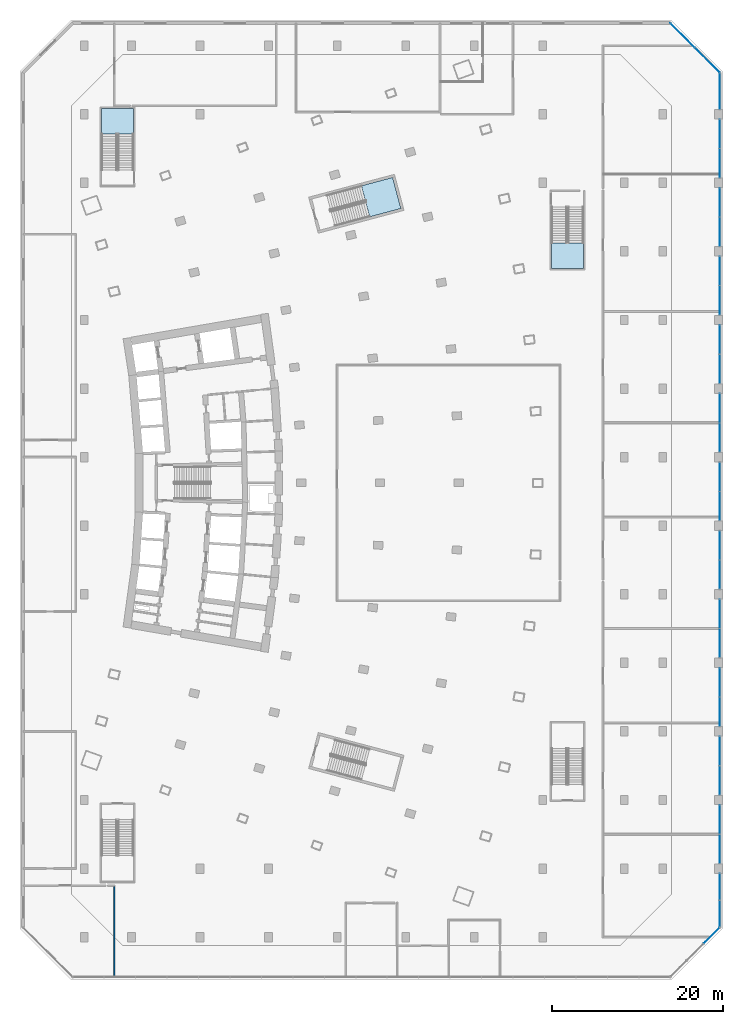
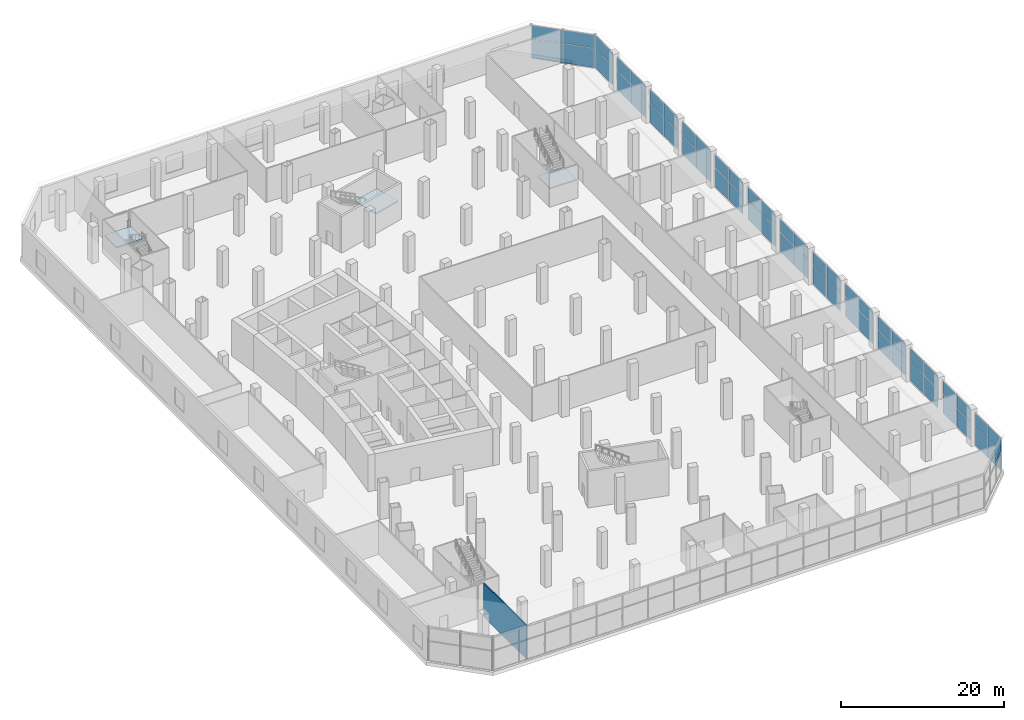
# One storey, part 8 of 26: 55 plates, 3 slabs, 1 wall, 18 elements without a shape of their own.
"""IFC4 building model written with IfcOpenShell, lengths in metres."""

from ifc_helpers import new_model, si_unit, direction, frame, frame_2d, origin, origin_2d, place, context, subcontext, project, spatial, polyline, rectangle, outline, extrude, material, layer, layer_set, type_object, element, aggregate, save


model = new_model("IFC4")

# Units and contexts
model_context = context("Model", 3, precision=1e-05, world=origin(), true_north=direction((0.0, 1.0)))
body_context = subcontext(model_context, "Body", "Model", "MODEL_VIEW")
ifc_project = project(units=[si_unit("LENGTHUNIT", "METRE"), si_unit("AREAUNIT", "SQUARE_METRE"), si_unit("VOLUMEUNIT", "CUBIC_METRE"), si_unit("PLANEANGLEUNIT", "RADIAN"), si_unit("MASSUNIT", "GRAM", prefix="KILO")], contexts=[model_context])

# Site, building, storey
site_placement = place(None, origin())
site = spatial("IfcSite", under=ifc_project, at=site_placement, CompositionType="ELEMENT")
building_placement = place(site_placement, origin())
building = spatial("IfcBuilding", under=site, at=building_placement, Name="Alderwake Tower", CompositionType="ELEMENT")
storey_placement = place(building_placement, frame((0.0, 0.0, 8.0)))
storey = spatial("IfcBuildingStorey", under=building, at=storey_placement, Name="L01", CompositionType="ELEMENT", Elevation=8.0)

# Stair, slab
ifc_material_1 = material(Name="Concrete C40/50", Category="concrete")
stair_type_1 = type_object("IfcStairType", Name="Core exit stair", PredefinedType="HALF_TURN_STAIR", material=ifc_material_1)
stair_1_placement = place(storey_placement, origin())
stair_1 = element("IfcStair", 1, at=stair_1_placement, inside=storey, type_object=stair_type_1, Name="L01 Exit Stair A", PredefinedType="HALF_TURN_STAIR")
ifc_material_2 = material(Name="Concrete C40/50", Category="concrete")
ifc_layer_1 = layer(ifc_material_2, 0.199951171875)
ifc_layer_set_1 = layer_set([ifc_layer_1], Name="Core stair landing 200")
slab_type = type_object("IfcSlabType", Name="Core stair landing 200", PredefinedType="LANDING", material=ifc_layer_set_1)
slab_1_placement = place(storey_placement, frame((0.0, 0.0, 2.550048828125)))
slab_1 = element("IfcSlab", 2, at=slab_1_placement, type_object=slab_type, Name="ST-A landing 1", PredefinedType="LANDING", context=body_context, shape_type="SweptSolid", body=[
    extrude(outline(polyline([(43.79345703125, 92.03271484375), (47.436279296875, 93.003173828125), (46.47119140625, 96.626708984375), (42.828125, 95.656494140625), (43.79345703125, 92.03271484375)])), origin(), (0.0, 0.0, 1.0), 0.199951171875),
])
aggregate(stair_1, [slab_1])

ifc_material_3 = material(Name="Concrete C40/50", Category="concrete")
stair_type_2 = type_object("IfcStairType", Name="Exit stair 1800 half-turn", PredefinedType="HALF_TURN_STAIR", material=ifc_material_3)
stair_2_placement = place(storey_placement, origin())
stair_2 = element("IfcStair", 3, at=stair_2_placement, inside=storey, type_object=stair_type_2, Name="L01 Podium stair P2", PredefinedType="HALF_TURN_STAIR")
slab_2_placement = place(storey_placement, frame((0.0, 0.0, 2.550048828125)))
slab_2 = element("IfcSlab", 4, at=slab_2_placement, type_object=slab_type, Name="ST-P2 landing 1", PredefinedType="LANDING", context=body_context, shape_type="SweptSolid", body=[
    extrude(outline(polyline([(16.25, 101.68994140625), (16.25, 104.699951171875), (12.5, 104.699951171875), (12.5, 101.68994140625), (16.25, 101.68994140625)])), origin(), (0.0, 0.0, 1.0), 0.199951171875),
])
aggregate(stair_2, [slab_2])

stair_3_placement = place(storey_placement, origin())
stair_3 = element("IfcStair", 5, at=stair_3_placement, inside=storey, type_object=stair_type_2, Name="L01 Podium stair P3", PredefinedType="HALF_TURN_STAIR")
slab_3_placement = place(storey_placement, frame((0.0, 0.0, 2.550048828125)))
slab_3 = element("IfcSlab", 6, at=slab_3_placement, type_object=slab_type, Name="ST-P3 landing 1", PredefinedType="LANDING", context=body_context, shape_type="SweptSolid", body=[
    extrude(outline(polyline([(65.0, 89.010009765625), (65.0, 86.0), (68.75, 86.0), (68.75, 89.010009765625), (65.0, 89.010009765625)])), origin(), (0.0, 0.0, 1.0), 0.199951171875),
])
aggregate(stair_3, [slab_3])

# Curtain wall, plates
ifc_material_4 = material(Name="Bronze tinted glass in aluminium frame", Category="aluminium")
ifc_layer_2 = layer(ifc_material_4, 0.25)
ifc_layer_set_2 = layer_set([ifc_layer_2], Name="Curtain wall CW1 podium shopfront")
curtain_wall_type_1 = type_object("IfcCurtainWallType", Name="Curtain wall CW1 podium shopfront", PredefinedType="NOTDEFINED", material=ifc_layer_set_2)
curtain_wall_1_placement = place(storey_placement, origin())
curtain_wall_1 = element("IfcCurtainWall", 7, at=curtain_wall_1_placement, inside=storey, type_object=curtain_wall_type_1, Name="Curtain wall 12", PredefinedType="NOTDEFINED")
ifc_material_5 = material(Name="Bronze tinted glass in aluminium frame", Category="aluminium")
ifc_layer_3 = layer(ifc_material_5, 0.028076171875)
ifc_layer_set_3 = layer_set([ifc_layer_3], Name="Glass panel GPA 28")
plate_type_1 = type_object("IfcPlateType", Name="Glass panel GPA 28", PredefinedType="CURTAIN_PANEL", material=ifc_layer_set_3)
plate_1_placement = place(storey_placement, frame((84.64990234375, 82.2900390625, 0.06005859375), z_axis=(0.0, 0.0, 1.0), x_axis=(0.0, 1.0, 0.0)))
plate_1 = element("IfcPlate", 8, at=plate_1_placement, type_object=plate_type_1, Name="CW.12 panel 1.1", PredefinedType="CURTAIN_PANEL", context=body_context, shape_type="SweptSolid", body=[
    extrude(rectangle(XDim=3.360107421875, YDim=0.028076171875, at=origin_2d()), origin(), (0.0, 0.0, 1.0), 2.909912109375),
])
plate_2_placement = place(storey_placement, frame((84.64990234375, 82.2900390625, 3.030029296875), z_axis=(0.0, 0.0, 1.0), x_axis=(0.0, 1.0, 0.0)))
plate_2 = element("IfcPlate", 9, at=plate_2_placement, type_object=plate_type_1, Name="CW.12 panel 1.2", PredefinedType="CURTAIN_PANEL", context=body_context, shape_type="SweptSolid", body=[
    extrude(rectangle(XDim=3.360107421875, YDim=0.028076171875, at=origin_2d()), origin(), (0.0, 0.0, 1.0), 1.9599609375),
])
plate_3_placement = place(storey_placement, frame((84.64990234375, 85.7099609375, 0.06005859375), z_axis=(0.0, 0.0, 1.0), x_axis=(0.0, 1.0, 0.0)))
plate_3 = element("IfcPlate", 10, at=plate_3_placement, type_object=plate_type_1, Name="CW.12 panel 2.1", PredefinedType="CURTAIN_PANEL", context=body_context, shape_type="SweptSolid", body=[
    extrude(rectangle(XDim=3.360107421875, YDim=0.028076171875, at=origin_2d()), origin(), (0.0, 0.0, 1.0), 2.909912109375),
])
plate_4_placement = place(storey_placement, frame((84.64990234375, 85.7099609375, 3.030029296875), z_axis=(0.0, 0.0, 1.0), x_axis=(0.0, 1.0, 0.0)))
plate_4 = element("IfcPlate", 11, at=plate_4_placement, type_object=plate_type_1, Name="CW.12 panel 2.2", PredefinedType="CURTAIN_PANEL", context=body_context, shape_type="SweptSolid", body=[
    extrude(rectangle(XDim=3.360107421875, YDim=0.028076171875, at=origin_2d()), origin(), (0.0, 0.0, 1.0), 1.9599609375),
])
aggregate(curtain_wall_1, [plate_1, plate_2, plate_3, plate_4])

curtain_wall_2_placement = place(storey_placement, origin())
curtain_wall_2 = element("IfcCurtainWall", 12, at=curtain_wall_2_placement, inside=storey, type_object=curtain_wall_type_1, Name="Curtain wall 13", PredefinedType="NOTDEFINED")
plate_5_placement = place(storey_placement, frame((84.64990234375, 90.2900390625, 0.06005859375), z_axis=(0.0, 0.0, 1.0), x_axis=(0.0, 1.0, 0.0)))
plate_5 = element("IfcPlate", 13, at=plate_5_placement, type_object=plate_type_1, Name="CW.13 panel 1.1", PredefinedType="CURTAIN_PANEL", context=body_context, shape_type="SweptSolid", body=[
    extrude(rectangle(XDim=3.360107421875, YDim=0.028076171875, at=origin_2d()), origin(), (0.0, 0.0, 1.0), 2.909912109375),
])
plate_6_placement = place(storey_placement, frame((84.64990234375, 90.2900390625, 3.030029296875), z_axis=(0.0, 0.0, 1.0), x_axis=(0.0, 1.0, 0.0)))
plate_6 = element("IfcPlate", 14, at=plate_6_placement, type_object=plate_type_1, Name="CW.13 panel 1.2", PredefinedType="CURTAIN_PANEL", context=body_context, shape_type="SweptSolid", body=[
    extrude(rectangle(XDim=3.360107421875, YDim=0.028076171875, at=origin_2d()), origin(), (0.0, 0.0, 1.0), 1.9599609375),
])
plate_7_placement = place(storey_placement, frame((84.64990234375, 93.7099609375, 0.06005859375), z_axis=(0.0, 0.0, 1.0), x_axis=(0.0, 1.0, 0.0)))
plate_7 = element("IfcPlate", 15, at=plate_7_placement, type_object=plate_type_1, Name="CW.13 panel 2.1", PredefinedType="CURTAIN_PANEL", context=body_context, shape_type="SweptSolid", body=[
    extrude(rectangle(XDim=3.360107421875, YDim=0.028076171875, at=origin_2d()), origin(), (0.0, 0.0, 1.0), 2.909912109375),
])
plate_8_placement = place(storey_placement, frame((84.64990234375, 93.7099609375, 3.030029296875), z_axis=(0.0, 0.0, 1.0), x_axis=(0.0, 1.0, 0.0)))
plate_8 = element("IfcPlate", 16, at=plate_8_placement, type_object=plate_type_1, Name="CW.13 panel 2.2", PredefinedType="CURTAIN_PANEL", context=body_context, shape_type="SweptSolid", body=[
    extrude(rectangle(XDim=3.360107421875, YDim=0.028076171875, at=origin_2d()), origin(), (0.0, 0.0, 1.0), 1.9599609375),
])
aggregate(curtain_wall_2, [plate_5, plate_6, plate_7, plate_8])

curtain_wall_3_placement = place(storey_placement, origin())
curtain_wall_3 = element("IfcCurtainWall", 17, at=curtain_wall_3_placement, inside=storey, type_object=curtain_wall_type_1, Name="Curtain wall 14", PredefinedType="NOTDEFINED")
plate_9_placement = place(storey_placement, frame((84.64990234375, 98.2900390625, 0.06005859375), z_axis=(0.0, 0.0, 1.0), x_axis=(0.0, 1.0, 0.0)))
plate_9 = element("IfcPlate", 18, at=plate_9_placement, type_object=plate_type_1, Name="CW.14 panel 1.1", PredefinedType="CURTAIN_PANEL", context=body_context, shape_type="SweptSolid", body=[
    extrude(rectangle(XDim=3.360107421875, YDim=0.028076171875, at=origin_2d()), origin(), (0.0, 0.0, 1.0), 2.909912109375),
])
plate_10_placement = place(storey_placement, frame((84.64990234375, 98.2900390625, 3.030029296875), z_axis=(0.0, 0.0, 1.0), x_axis=(0.0, 1.0, 0.0)))
plate_10 = element("IfcPlate", 19, at=plate_10_placement, type_object=plate_type_1, Name="CW.14 panel 1.2", PredefinedType="CURTAIN_PANEL", context=body_context, shape_type="SweptSolid", body=[
    extrude(rectangle(XDim=3.360107421875, YDim=0.028076171875, at=origin_2d()), origin(), (0.0, 0.0, 1.0), 1.9599609375),
])
plate_11_placement = place(storey_placement, frame((84.64990234375, 101.7099609375, 0.06005859375), z_axis=(0.0, 0.0, 1.0), x_axis=(0.0, 1.0, 0.0)))
plate_11 = element("IfcPlate", 20, at=plate_11_placement, type_object=plate_type_1, Name="CW.14 panel 2.1", PredefinedType="CURTAIN_PANEL", context=body_context, shape_type="SweptSolid", body=[
    extrude(rectangle(XDim=3.360107421875, YDim=0.028076171875, at=origin_2d()), origin(), (0.0, 0.0, 1.0), 2.909912109375),
])
plate_12_placement = place(storey_placement, frame((84.64990234375, 101.7099609375, 3.030029296875), z_axis=(0.0, 0.0, 1.0), x_axis=(0.0, 1.0, 0.0)))
plate_12 = element("IfcPlate", 21, at=plate_12_placement, type_object=plate_type_1, Name="CW.14 panel 2.2", PredefinedType="CURTAIN_PANEL", context=body_context, shape_type="SweptSolid", body=[
    extrude(rectangle(XDim=3.360107421875, YDim=0.028076171875, at=origin_2d()), origin(), (0.0, 0.0, 1.0), 1.9599609375),
])
aggregate(curtain_wall_3, [plate_9, plate_10, plate_11, plate_12])

curtain_wall_4_placement = place(storey_placement, origin())
curtain_wall_4 = element("IfcCurtainWall", 22, at=curtain_wall_4_placement, inside=storey, type_object=curtain_wall_type_1, Name="Curtain wall 15", PredefinedType="NOTDEFINED")
plate_13_placement = place(storey_placement, frame((84.64990234375, 106.7099609375, 0.06005859375), z_axis=(0.0, 0.0, 1.0), x_axis=(0.0, 1.0, 0.0)))
plate_13 = element("IfcPlate", 23, at=plate_13_placement, type_object=plate_type_1, Name="CW.15 panel 1.1", PredefinedType="CURTAIN_PANEL", context=body_context, shape_type="SweptSolid", body=[
    extrude(rectangle(XDim=4.199951171875, YDim=0.028076171875, at=origin_2d()), origin(), (0.0, 0.0, 1.0), 2.909912109375),
])
plate_14_placement = place(storey_placement, frame((84.64990234375, 106.7099609375, 3.030029296875), z_axis=(0.0, 0.0, 1.0), x_axis=(0.0, 1.0, 0.0)))
plate_14 = element("IfcPlate", 24, at=plate_14_placement, type_object=plate_type_1, Name="CW.15 panel 1.2", PredefinedType="CURTAIN_PANEL", context=body_context, shape_type="SweptSolid", body=[
    extrude(rectangle(XDim=4.199951171875, YDim=0.028076171875, at=origin_2d()), origin(), (0.0, 0.0, 1.0), 1.9599609375),
])
aggregate(curtain_wall_4, [plate_13, plate_14])

curtain_wall_5_placement = place(storey_placement, origin())
curtain_wall_5 = element("IfcCurtainWall", 25, at=curtain_wall_5_placement, inside=storey, type_object=curtain_wall_type_1, Name="Curtain wall 16", PredefinedType="NOTDEFINED")
plate_15_placement = place(storey_placement, frame((83.18798828125, 110.31689453125, 0.06005859375), z_axis=(0.0, 0.0, 1.0), x_axis=(-0.707106781187, 0.707106781187, 0.0)))
plate_15 = element("IfcPlate", 26, at=plate_15_placement, type_object=plate_type_1, Name="CW.16 panel 1.1", PredefinedType="CURTAIN_PANEL", context=body_context, shape_type="SweptSolid", body=[
    extrude(rectangle(XDim=4.01513671875, YDim=0.028076171875, at=origin_2d()), origin(), (0.0, 0.0, 1.0), 2.909912109375),
])
plate_16_placement = place(storey_placement, frame((83.18798828125, 110.31689453125, 3.030029296875), z_axis=(0.0, 0.0, 1.0), x_axis=(-0.707106781187, 0.707106781187, 0.0)))
plate_16 = element("IfcPlate", 27, at=plate_16_placement, type_object=plate_type_1, Name="CW.16 panel 1.2", PredefinedType="CURTAIN_PANEL", context=body_context, shape_type="SweptSolid", body=[
    extrude(rectangle(XDim=4.01513671875, YDim=0.028076171875, at=origin_2d()), origin(), (0.0, 0.0, 1.0), 1.9599609375),
])
plate_17_placement = place(storey_placement, frame((80.306396484375, 113.198486328125, 0.06005859375), z_axis=(0.0, 0.0, 1.0), x_axis=(-0.707106781187, 0.707106781187, 0.0)))
plate_17 = element("IfcPlate", 28, at=plate_17_placement, type_object=plate_type_1, Name="CW.16 panel 2.1", PredefinedType="CURTAIN_PANEL", context=body_context, shape_type="SweptSolid", body=[
    extrude(rectangle(XDim=4.01513671875, YDim=0.028076171875, at=origin_2d()), origin(), (0.0, 0.0, 1.0), 2.909912109375),
])
plate_18_placement = place(storey_placement, frame((80.306396484375, 113.198486328125, 3.030029296875), z_axis=(0.0, 0.0, 1.0), x_axis=(-0.707106781187, 0.707106781187, 0.0)))
plate_18 = element("IfcPlate", 29, at=plate_18_placement, type_object=plate_type_1, Name="CW.16 panel 2.2", PredefinedType="CURTAIN_PANEL", context=body_context, shape_type="SweptSolid", body=[
    extrude(rectangle(XDim=4.01513671875, YDim=0.028076171875, at=origin_2d()), origin(), (0.0, 0.0, 1.0), 1.9599609375),
])
aggregate(curtain_wall_5, [plate_15, plate_16, plate_17, plate_18])

# Curtain wall, plate
ifc_material_6 = material(Name="Bronze tinted glass in aluminium frame", Category="aluminium")
ifc_layer_4 = layer(ifc_material_6, 0.300048828125)
ifc_layer_set_4 = layer_set([ifc_layer_4], Name="Curtain wall CW2 station concourse wall")
curtain_wall_type_2 = type_object("IfcCurtainWallType", Name="Curtain wall CW2 station concourse wall", PredefinedType="NOTDEFINED", material=ifc_layer_set_4)
curtain_wall_6_placement = place(storey_placement, origin())
curtain_wall_6 = element("IfcCurtainWall", 30, at=curtain_wall_6_placement, inside=storey, type_object=curtain_wall_type_2, Name="Curtain wall 2", PredefinedType="NOTDEFINED")
ifc_material_7 = material(Name="Bronze tinted glass in aluminium frame", Category="aluminium")
ifc_layer_5 = layer(ifc_material_7, 0.031982421875)
ifc_layer_set_5 = layer_set([ifc_layer_5], Name="Glass panel GPB 32")
plate_type_2 = type_object("IfcPlateType", Name="Glass panel GPB 32", PredefinedType="CURTAIN_PANEL", material=ifc_layer_set_5)
plate_19_placement = place(storey_placement, frame((83.678955078125, 8.173828125, 3.0400390625), z_axis=(0.0, 0.0, 1.0), x_axis=(0.707106781187, 0.707106781187, 0.0)))
plate_19 = element("IfcPlate", 31, at=plate_19_placement, type_object=plate_type_2, Name="CW.02 panel 3.2", PredefinedType="CURTAIN_PANEL", context=body_context, shape_type="SweptSolid", body=[
    extrude(rectangle(XDim=2.61669921875, YDim=0.031982421875, at=origin_2d()), origin(), (0.0, 0.0, 1.0), 1.929931640625),
])
aggregate(curtain_wall_6, [plate_19])

# Curtain wall, plates
curtain_wall_7_placement = place(storey_placement, origin())
curtain_wall_7 = element("IfcCurtainWall", 32, at=curtain_wall_7_placement, inside=storey, type_object=curtain_wall_type_2, Name="Curtain wall 3", PredefinedType="NOTDEFINED")
plate_20_placement = place(storey_placement, frame((84.64990234375, 10.7412109375, 0.080078125), z_axis=(0.0, 0.0, 1.0), x_axis=(0.0, 1.0, 0.0)))
plate_20 = element("IfcPlate", 33, at=plate_20_placement, type_object=plate_type_2, Name="CW.03 panel 1.1", PredefinedType="CURTAIN_PANEL", context=body_context, shape_type="SweptSolid", body=[
    extrude(rectangle(XDim=3.032470703125, YDim=0.031982421875, at=origin_2d()), origin(), (0.0, 0.0, 1.0), 2.8798828125),
])
plate_21_placement = place(storey_placement, frame((84.64990234375, 10.7412109375, 3.0400390625), z_axis=(0.0, 0.0, 1.0), x_axis=(0.0, 1.0, 0.0)))
plate_21 = element("IfcPlate", 34, at=plate_21_placement, type_object=plate_type_2, Name="CW.03 panel 1.2", PredefinedType="CURTAIN_PANEL", context=body_context, shape_type="SweptSolid", body=[
    extrude(rectangle(XDim=3.032470703125, YDim=0.031982421875, at=origin_2d()), origin(), (0.0, 0.0, 1.0), 1.929931640625),
])
plate_22_placement = place(storey_placement, frame((84.64990234375, 13.853759765625, 0.080078125), z_axis=(0.0, 0.0, 1.0), x_axis=(0.0, 1.0, 0.0)))
plate_22 = element("IfcPlate", 35, at=plate_22_placement, type_object=plate_type_2, Name="CW.03 panel 2.1", PredefinedType="CURTAIN_PANEL", context=body_context, shape_type="SweptSolid", body=[
    extrude(rectangle(XDim=3.032470703125, YDim=0.031982421875, at=origin_2d()), origin(), (0.0, 0.0, 1.0), 2.8798828125),
])
plate_23_placement = place(storey_placement, frame((84.64990234375, 13.853759765625, 3.0400390625), z_axis=(0.0, 0.0, 1.0), x_axis=(0.0, 1.0, 0.0)))
plate_23 = element("IfcPlate", 36, at=plate_23_placement, type_object=plate_type_2, Name="CW.03 panel 2.2", PredefinedType="CURTAIN_PANEL", context=body_context, shape_type="SweptSolid", body=[
    extrude(rectangle(XDim=3.032470703125, YDim=0.031982421875, at=origin_2d()), origin(), (0.0, 0.0, 1.0), 1.929931640625),
])
aggregate(curtain_wall_7, [plate_20, plate_21, plate_22, plate_23])

curtain_wall_8_placement = place(storey_placement, origin())
curtain_wall_8 = element("IfcCurtainWall", 37, at=curtain_wall_8_placement, inside=storey, type_object=curtain_wall_type_2, Name="Curtain wall 4", PredefinedType="NOTDEFINED")
plate_24_placement = place(storey_placement, frame((84.64990234375, 18.294921875, 0.080078125), z_axis=(0.0, 0.0, 1.0), x_axis=(0.0, 1.0, 0.0)))
plate_24 = element("IfcPlate", 38, at=plate_24_placement, type_object=plate_type_2, Name="CW.04 panel 1.1", PredefinedType="CURTAIN_PANEL", context=body_context, shape_type="SweptSolid", body=[
    extrude(rectangle(XDim=3.330078125, YDim=0.031982421875, at=origin_2d()), origin(), (0.0, 0.0, 1.0), 2.8798828125),
])
plate_25_placement = place(storey_placement, frame((84.64990234375, 18.294921875, 3.0400390625), z_axis=(0.0, 0.0, 1.0), x_axis=(0.0, 1.0, 0.0)))
plate_25 = element("IfcPlate", 39, at=plate_25_placement, type_object=plate_type_2, Name="CW.04 panel 1.2", PredefinedType="CURTAIN_PANEL", context=body_context, shape_type="SweptSolid", body=[
    extrude(rectangle(XDim=3.330078125, YDim=0.031982421875, at=origin_2d()), origin(), (0.0, 0.0, 1.0), 1.929931640625),
])
plate_26_placement = place(storey_placement, frame((84.64990234375, 21.705078125, 0.080078125), z_axis=(0.0, 0.0, 1.0), x_axis=(0.0, 1.0, 0.0)))
plate_26 = element("IfcPlate", 40, at=plate_26_placement, type_object=plate_type_2, Name="CW.04 panel 2.1", PredefinedType="CURTAIN_PANEL", context=body_context, shape_type="SweptSolid", body=[
    extrude(rectangle(XDim=3.330078125, YDim=0.031982421875, at=origin_2d()), origin(), (0.0, 0.0, 1.0), 2.8798828125),
])
plate_27_placement = place(storey_placement, frame((84.64990234375, 21.705078125, 3.0400390625), z_axis=(0.0, 0.0, 1.0), x_axis=(0.0, 1.0, 0.0)))
plate_27 = element("IfcPlate", 41, at=plate_27_placement, type_object=plate_type_2, Name="CW.04 panel 2.2", PredefinedType="CURTAIN_PANEL", context=body_context, shape_type="SweptSolid", body=[
    extrude(rectangle(XDim=3.330078125, YDim=0.031982421875, at=origin_2d()), origin(), (0.0, 0.0, 1.0), 1.929931640625),
])
aggregate(curtain_wall_8, [plate_24, plate_25, plate_26, plate_27])

curtain_wall_9_placement = place(storey_placement, origin())
curtain_wall_9 = element("IfcCurtainWall", 42, at=curtain_wall_9_placement, inside=storey, type_object=curtain_wall_type_2, Name="Curtain wall 5", PredefinedType="NOTDEFINED")
plate_28_placement = place(storey_placement, frame((84.64990234375, 26.294921875, 0.080078125), z_axis=(0.0, 0.0, 1.0), x_axis=(0.0, 1.0, 0.0)))
plate_28 = element("IfcPlate", 43, at=plate_28_placement, type_object=plate_type_2, Name="CW.05 panel 1.1", PredefinedType="CURTAIN_PANEL", context=body_context, shape_type="SweptSolid", body=[
    extrude(rectangle(XDim=3.330078125, YDim=0.031982421875, at=origin_2d()), origin(), (0.0, 0.0, 1.0), 2.8798828125),
])
plate_29_placement = place(storey_placement, frame((84.64990234375, 26.294921875, 3.0400390625), z_axis=(0.0, 0.0, 1.0), x_axis=(0.0, 1.0, 0.0)))
plate_29 = element("IfcPlate", 44, at=plate_29_placement, type_object=plate_type_2, Name="CW.05 panel 1.2", PredefinedType="CURTAIN_PANEL", context=body_context, shape_type="SweptSolid", body=[
    extrude(rectangle(XDim=3.330078125, YDim=0.031982421875, at=origin_2d()), origin(), (0.0, 0.0, 1.0), 1.929931640625),
])
plate_30_placement = place(storey_placement, frame((84.64990234375, 29.705078125, 0.080078125), z_axis=(0.0, 0.0, 1.0), x_axis=(0.0, 1.0, 0.0)))
plate_30 = element("IfcPlate", 45, at=plate_30_placement, type_object=plate_type_2, Name="CW.05 panel 2.1", PredefinedType="CURTAIN_PANEL", context=body_context, shape_type="SweptSolid", body=[
    extrude(rectangle(XDim=3.330078125, YDim=0.031982421875, at=origin_2d()), origin(), (0.0, 0.0, 1.0), 2.8798828125),
])
plate_31_placement = place(storey_placement, frame((84.64990234375, 29.705078125, 3.0400390625), z_axis=(0.0, 0.0, 1.0), x_axis=(0.0, 1.0, 0.0)))
plate_31 = element("IfcPlate", 46, at=plate_31_placement, type_object=plate_type_2, Name="CW.05 panel 2.2", PredefinedType="CURTAIN_PANEL", context=body_context, shape_type="SweptSolid", body=[
    extrude(rectangle(XDim=3.330078125, YDim=0.031982421875, at=origin_2d()), origin(), (0.0, 0.0, 1.0), 1.929931640625),
])
aggregate(curtain_wall_9, [plate_28, plate_29, plate_30, plate_31])

curtain_wall_10_placement = place(storey_placement, origin())
curtain_wall_10 = element("IfcCurtainWall", 47, at=curtain_wall_10_placement, inside=storey, type_object=curtain_wall_type_2, Name="Curtain wall 6", PredefinedType="NOTDEFINED")
plate_32_placement = place(storey_placement, frame((84.64990234375, 34.294921875, 0.080078125), z_axis=(0.0, 0.0, 1.0), x_axis=(0.0, 1.0, 0.0)))
plate_32 = element("IfcPlate", 48, at=plate_32_placement, type_object=plate_type_2, Name="CW.06 panel 1.1", PredefinedType="CURTAIN_PANEL", context=body_context, shape_type="SweptSolid", body=[
    extrude(rectangle(XDim=3.330078125, YDim=0.031982421875, at=origin_2d()), origin(), (0.0, 0.0, 1.0), 2.8798828125),
])
plate_33_placement = place(storey_placement, frame((84.64990234375, 34.294921875, 3.0400390625), z_axis=(0.0, 0.0, 1.0), x_axis=(0.0, 1.0, 0.0)))
plate_33 = element("IfcPlate", 49, at=plate_33_placement, type_object=plate_type_2, Name="CW.06 panel 1.2", PredefinedType="CURTAIN_PANEL", context=body_context, shape_type="SweptSolid", body=[
    extrude(rectangle(XDim=3.330078125, YDim=0.031982421875, at=origin_2d()), origin(), (0.0, 0.0, 1.0), 1.929931640625),
])
plate_34_placement = place(storey_placement, frame((84.64990234375, 37.705078125, 0.080078125), z_axis=(0.0, 0.0, 1.0), x_axis=(0.0, 1.0, 0.0)))
plate_34 = element("IfcPlate", 50, at=plate_34_placement, type_object=plate_type_2, Name="CW.06 panel 2.1", PredefinedType="CURTAIN_PANEL", context=body_context, shape_type="SweptSolid", body=[
    extrude(rectangle(XDim=3.330078125, YDim=0.031982421875, at=origin_2d()), origin(), (0.0, 0.0, 1.0), 2.8798828125),
])
plate_35_placement = place(storey_placement, frame((84.64990234375, 37.705078125, 3.0400390625), z_axis=(0.0, 0.0, 1.0), x_axis=(0.0, 1.0, 0.0)))
plate_35 = element("IfcPlate", 51, at=plate_35_placement, type_object=plate_type_2, Name="CW.06 panel 2.2", PredefinedType="CURTAIN_PANEL", context=body_context, shape_type="SweptSolid", body=[
    extrude(rectangle(XDim=3.330078125, YDim=0.031982421875, at=origin_2d()), origin(), (0.0, 0.0, 1.0), 1.929931640625),
])
aggregate(curtain_wall_10, [plate_32, plate_33, plate_34, plate_35])

curtain_wall_11_placement = place(storey_placement, origin())
curtain_wall_11 = element("IfcCurtainWall", 52, at=curtain_wall_11_placement, inside=storey, type_object=curtain_wall_type_2, Name="Curtain wall 7", PredefinedType="NOTDEFINED")
plate_36_placement = place(storey_placement, frame((84.64990234375, 42.294921875, 0.080078125), z_axis=(0.0, 0.0, 1.0), x_axis=(0.0, 1.0, 0.0)))
plate_36 = element("IfcPlate", 53, at=plate_36_placement, type_object=plate_type_2, Name="CW.07 panel 1.1", PredefinedType="CURTAIN_PANEL", context=body_context, shape_type="SweptSolid", body=[
    extrude(rectangle(XDim=3.330078125, YDim=0.031982421875, at=origin_2d()), origin(), (0.0, 0.0, 1.0), 2.8798828125),
])
plate_37_placement = place(storey_placement, frame((84.64990234375, 42.294921875, 3.0400390625), z_axis=(0.0, 0.0, 1.0), x_axis=(0.0, 1.0, 0.0)))
plate_37 = element("IfcPlate", 54, at=plate_37_placement, type_object=plate_type_2, Name="CW.07 panel 1.2", PredefinedType="CURTAIN_PANEL", context=body_context, shape_type="SweptSolid", body=[
    extrude(rectangle(XDim=3.330078125, YDim=0.031982421875, at=origin_2d()), origin(), (0.0, 0.0, 1.0), 1.929931640625),
])
plate_38_placement = place(storey_placement, frame((84.64990234375, 45.705078125, 0.080078125), z_axis=(0.0, 0.0, 1.0), x_axis=(0.0, 1.0, 0.0)))
plate_38 = element("IfcPlate", 55, at=plate_38_placement, type_object=plate_type_2, Name="CW.07 panel 2.1", PredefinedType="CURTAIN_PANEL", context=body_context, shape_type="SweptSolid", body=[
    extrude(rectangle(XDim=3.330078125, YDim=0.031982421875, at=origin_2d()), origin(), (0.0, 0.0, 1.0), 2.8798828125),
])
plate_39_placement = place(storey_placement, frame((84.64990234375, 45.705078125, 3.0400390625), z_axis=(0.0, 0.0, 1.0), x_axis=(0.0, 1.0, 0.0)))
plate_39 = element("IfcPlate", 56, at=plate_39_placement, type_object=plate_type_2, Name="CW.07 panel 2.2", PredefinedType="CURTAIN_PANEL", context=body_context, shape_type="SweptSolid", body=[
    extrude(rectangle(XDim=3.330078125, YDim=0.031982421875, at=origin_2d()), origin(), (0.0, 0.0, 1.0), 1.929931640625),
])
aggregate(curtain_wall_11, [plate_36, plate_37, plate_38, plate_39])

curtain_wall_12_placement = place(storey_placement, origin())
curtain_wall_12 = element("IfcCurtainWall", 57, at=curtain_wall_12_placement, inside=storey, type_object=curtain_wall_type_2, Name="Curtain wall 8", PredefinedType="NOTDEFINED")
plate_40_placement = place(storey_placement, frame((84.64990234375, 50.294921875, 0.080078125), z_axis=(0.0, 0.0, 1.0), x_axis=(0.0, 1.0, 0.0)))
plate_40 = element("IfcPlate", 58, at=plate_40_placement, type_object=plate_type_2, Name="CW.08 panel 1.1", PredefinedType="CURTAIN_PANEL", context=body_context, shape_type="SweptSolid", body=[
    extrude(rectangle(XDim=3.330078125, YDim=0.031982421875, at=origin_2d()), origin(), (0.0, 0.0, 1.0), 2.8798828125),
])
plate_41_placement = place(storey_placement, frame((84.64990234375, 50.294921875, 3.0400390625), z_axis=(0.0, 0.0, 1.0), x_axis=(0.0, 1.0, 0.0)))
plate_41 = element("IfcPlate", 59, at=plate_41_placement, type_object=plate_type_2, Name="CW.08 panel 1.2", PredefinedType="CURTAIN_PANEL", context=body_context, shape_type="SweptSolid", body=[
    extrude(rectangle(XDim=3.330078125, YDim=0.031982421875, at=origin_2d()), origin(), (0.0, 0.0, 1.0), 1.929931640625),
])
plate_42_placement = place(storey_placement, frame((84.64990234375, 53.705078125, 0.080078125), z_axis=(0.0, 0.0, 1.0), x_axis=(0.0, 1.0, 0.0)))
plate_42 = element("IfcPlate", 60, at=plate_42_placement, type_object=plate_type_2, Name="CW.08 panel 2.1", PredefinedType="CURTAIN_PANEL", context=body_context, shape_type="SweptSolid", body=[
    extrude(rectangle(XDim=3.330078125, YDim=0.031982421875, at=origin_2d()), origin(), (0.0, 0.0, 1.0), 2.8798828125),
])
plate_43_placement = place(storey_placement, frame((84.64990234375, 53.705078125, 3.0400390625), z_axis=(0.0, 0.0, 1.0), x_axis=(0.0, 1.0, 0.0)))
plate_43 = element("IfcPlate", 61, at=plate_43_placement, type_object=plate_type_2, Name="CW.08 panel 2.2", PredefinedType="CURTAIN_PANEL", context=body_context, shape_type="SweptSolid", body=[
    extrude(rectangle(XDim=3.330078125, YDim=0.031982421875, at=origin_2d()), origin(), (0.0, 0.0, 1.0), 1.929931640625),
])
aggregate(curtain_wall_12, [plate_40, plate_41, plate_42, plate_43])

curtain_wall_13_placement = place(storey_placement, origin())
curtain_wall_13 = element("IfcCurtainWall", 62, at=curtain_wall_13_placement, inside=storey, type_object=curtain_wall_type_2, Name="Curtain wall 9", PredefinedType="NOTDEFINED")
plate_44_placement = place(storey_placement, frame((84.64990234375, 58.294921875, 0.080078125), z_axis=(0.0, 0.0, 1.0), x_axis=(0.0, 1.0, 0.0)))
plate_44 = element("IfcPlate", 63, at=plate_44_placement, type_object=plate_type_2, Name="CW.09 panel 1.1", PredefinedType="CURTAIN_PANEL", context=body_context, shape_type="SweptSolid", body=[
    extrude(rectangle(XDim=3.330078125, YDim=0.031982421875, at=origin_2d()), origin(), (0.0, 0.0, 1.0), 2.8798828125),
])
plate_45_placement = place(storey_placement, frame((84.64990234375, 58.294921875, 3.0400390625), z_axis=(0.0, 0.0, 1.0), x_axis=(0.0, 1.0, 0.0)))
plate_45 = element("IfcPlate", 64, at=plate_45_placement, type_object=plate_type_2, Name="CW.09 panel 1.2", PredefinedType="CURTAIN_PANEL", context=body_context, shape_type="SweptSolid", body=[
    extrude(rectangle(XDim=3.330078125, YDim=0.031982421875, at=origin_2d()), origin(), (0.0, 0.0, 1.0), 1.929931640625),
])
plate_46_placement = place(storey_placement, frame((84.64990234375, 61.705078125, 0.080078125), z_axis=(0.0, 0.0, 1.0), x_axis=(0.0, 1.0, 0.0)))
plate_46 = element("IfcPlate", 65, at=plate_46_placement, type_object=plate_type_2, Name="CW.09 panel 2.1", PredefinedType="CURTAIN_PANEL", context=body_context, shape_type="SweptSolid", body=[
    extrude(rectangle(XDim=3.330078125, YDim=0.031982421875, at=origin_2d()), origin(), (0.0, 0.0, 1.0), 2.8798828125),
])
plate_47_placement = place(storey_placement, frame((84.64990234375, 61.705078125, 3.0400390625), z_axis=(0.0, 0.0, 1.0), x_axis=(0.0, 1.0, 0.0)))
plate_47 = element("IfcPlate", 66, at=plate_47_placement, type_object=plate_type_2, Name="CW.09 panel 2.2", PredefinedType="CURTAIN_PANEL", context=body_context, shape_type="SweptSolid", body=[
    extrude(rectangle(XDim=3.330078125, YDim=0.031982421875, at=origin_2d()), origin(), (0.0, 0.0, 1.0), 1.929931640625),
])
aggregate(curtain_wall_13, [plate_44, plate_45, plate_46, plate_47])

curtain_wall_14_placement = place(storey_placement, origin())
curtain_wall_14 = element("IfcCurtainWall", 67, at=curtain_wall_14_placement, inside=storey, type_object=curtain_wall_type_2, Name="Curtain wall 10", PredefinedType="NOTDEFINED")
plate_48_placement = place(storey_placement, frame((84.64990234375, 66.294921875, 0.080078125), z_axis=(0.0, 0.0, 1.0), x_axis=(0.0, 1.0, 0.0)))
plate_48 = element("IfcPlate", 68, at=plate_48_placement, type_object=plate_type_2, Name="CW.10 panel 1.1", PredefinedType="CURTAIN_PANEL", context=body_context, shape_type="SweptSolid", body=[
    extrude(rectangle(XDim=3.330078125, YDim=0.031982421875, at=origin_2d()), origin(), (0.0, 0.0, 1.0), 2.8798828125),
])
plate_49_placement = place(storey_placement, frame((84.64990234375, 66.294921875, 3.0400390625), z_axis=(0.0, 0.0, 1.0), x_axis=(0.0, 1.0, 0.0)))
plate_49 = element("IfcPlate", 69, at=plate_49_placement, type_object=plate_type_2, Name="CW.10 panel 1.2", PredefinedType="CURTAIN_PANEL", context=body_context, shape_type="SweptSolid", body=[
    extrude(rectangle(XDim=3.330078125, YDim=0.031982421875, at=origin_2d()), origin(), (0.0, 0.0, 1.0), 1.929931640625),
])
plate_50_placement = place(storey_placement, frame((84.64990234375, 69.705078125, 0.080078125), z_axis=(0.0, 0.0, 1.0), x_axis=(0.0, 1.0, 0.0)))
plate_50 = element("IfcPlate", 70, at=plate_50_placement, type_object=plate_type_2, Name="CW.10 panel 2.1", PredefinedType="CURTAIN_PANEL", context=body_context, shape_type="SweptSolid", body=[
    extrude(rectangle(XDim=3.330078125, YDim=0.031982421875, at=origin_2d()), origin(), (0.0, 0.0, 1.0), 2.8798828125),
])
plate_51_placement = place(storey_placement, frame((84.64990234375, 69.705078125, 3.0400390625), z_axis=(0.0, 0.0, 1.0), x_axis=(0.0, 1.0, 0.0)))
plate_51 = element("IfcPlate", 71, at=plate_51_placement, type_object=plate_type_2, Name="CW.10 panel 2.2", PredefinedType="CURTAIN_PANEL", context=body_context, shape_type="SweptSolid", body=[
    extrude(rectangle(XDim=3.330078125, YDim=0.031982421875, at=origin_2d()), origin(), (0.0, 0.0, 1.0), 1.929931640625),
])
aggregate(curtain_wall_14, [plate_48, plate_49, plate_50, plate_51])

curtain_wall_15_placement = place(storey_placement, origin())
curtain_wall_15 = element("IfcCurtainWall", 72, at=curtain_wall_15_placement, inside=storey, type_object=curtain_wall_type_2, Name="Curtain wall 11", PredefinedType="NOTDEFINED")
plate_52_placement = place(storey_placement, frame((84.64990234375, 74.294921875, 0.080078125), z_axis=(0.0, 0.0, 1.0), x_axis=(0.0, 1.0, 0.0)))
plate_52 = element("IfcPlate", 73, at=plate_52_placement, type_object=plate_type_2, Name="CW.11 panel 1.1", PredefinedType="CURTAIN_PANEL", context=body_context, shape_type="SweptSolid", body=[
    extrude(rectangle(XDim=3.330078125, YDim=0.031982421875, at=origin_2d()), origin(), (0.0, 0.0, 1.0), 2.8798828125),
])
plate_53_placement = place(storey_placement, frame((84.64990234375, 74.294921875, 3.0400390625), z_axis=(0.0, 0.0, 1.0), x_axis=(0.0, 1.0, 0.0)))
plate_53 = element("IfcPlate", 74, at=plate_53_placement, type_object=plate_type_2, Name="CW.11 panel 1.2", PredefinedType="CURTAIN_PANEL", context=body_context, shape_type="SweptSolid", body=[
    extrude(rectangle(XDim=3.330078125, YDim=0.031982421875, at=origin_2d()), origin(), (0.0, 0.0, 1.0), 1.929931640625),
])
plate_54_placement = place(storey_placement, frame((84.64990234375, 77.705078125, 0.080078125), z_axis=(0.0, 0.0, 1.0), x_axis=(0.0, 1.0, 0.0)))
plate_54 = element("IfcPlate", 75, at=plate_54_placement, type_object=plate_type_2, Name="CW.11 panel 2.1", PredefinedType="CURTAIN_PANEL", context=body_context, shape_type="SweptSolid", body=[
    extrude(rectangle(XDim=3.330078125, YDim=0.031982421875, at=origin_2d()), origin(), (0.0, 0.0, 1.0), 2.8798828125),
])
plate_55_placement = place(storey_placement, frame((84.64990234375, 77.705078125, 3.0400390625), z_axis=(0.0, 0.0, 1.0), x_axis=(0.0, 1.0, 0.0)))
plate_55 = element("IfcPlate", 76, at=plate_55_placement, type_object=plate_type_2, Name="CW.11 panel 2.2", PredefinedType="CURTAIN_PANEL", context=body_context, shape_type="SweptSolid", body=[
    extrude(rectangle(XDim=3.330078125, YDim=0.031982421875, at=origin_2d()), origin(), (0.0, 0.0, 1.0), 1.929931640625),
])
aggregate(curtain_wall_15, [plate_52, plate_53, plate_54, plate_55])

# Wall
ifc_material_8 = material(Name="Gypsum board on metal studs, rated")
ifc_layer_6 = layer(ifc_material_8, 0.159912109375)
ifc_layer_set_6 = layer_set([ifc_layer_6], Name="Corridor wall 160")
wall_type = type_object("IfcWallType", Name="Corridor wall 160", PredefinedType="PARTITIONING", material=ifc_layer_set_6)
wall_placement = place(storey_placement, frame((14.0009765625, 13.9208984375, 0.0), z_axis=(0.0, 0.0, 1.0), x_axis=(0.0, -1.0, 0.0)))
element("IfcWall", 77, at=wall_placement, inside=storey, type_object=wall_type, Name="WL/L01/W37", PredefinedType="PARTITIONING", context=body_context, shape_type="SweptSolid", body=[
    extrude(rectangle(XDim=10.541015625, YDim=0.159912109375, at=frame_2d((5.2705078125, 0.0))), origin(), (0.0, 0.0, 1.0), 5.050048828125),
])

save(model, "model.ifc")
